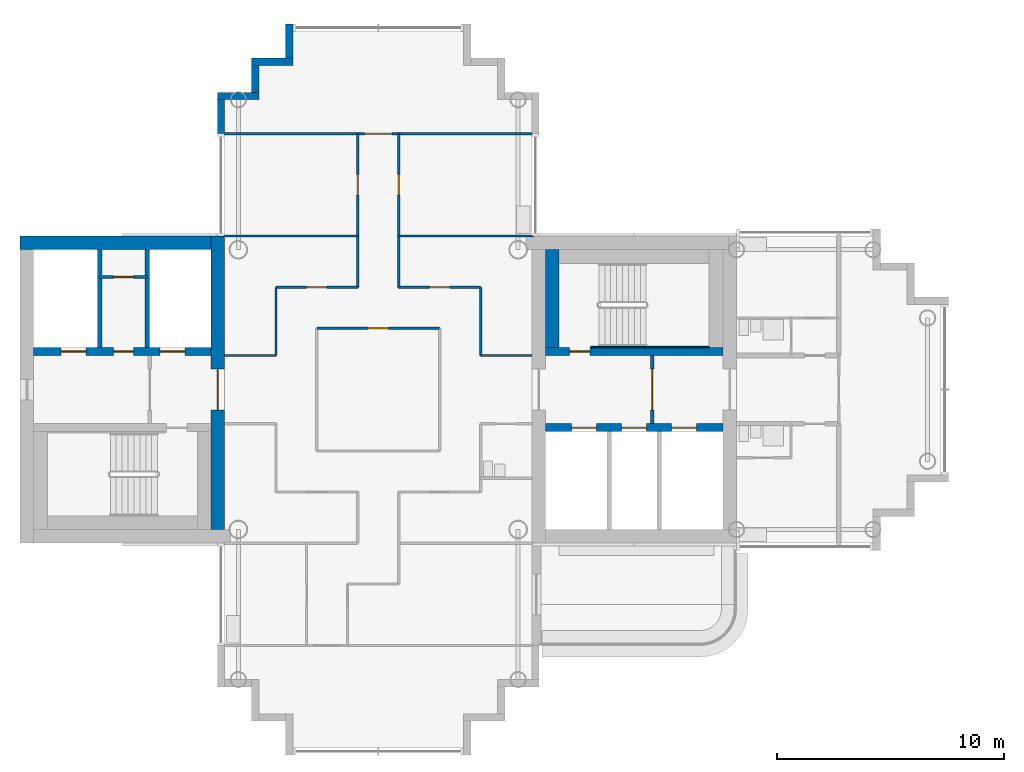
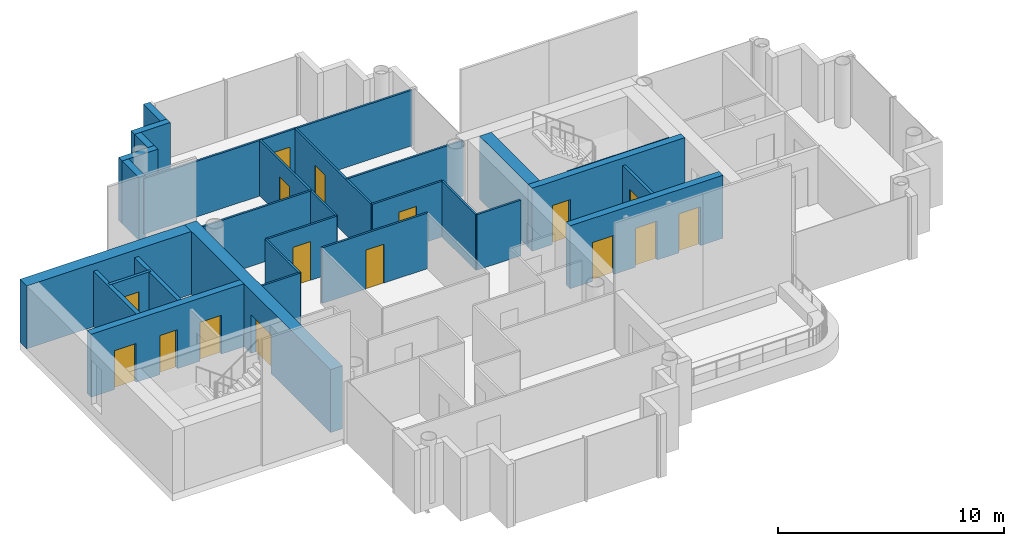
# One storey, part 7 of 18: 28 walls, 16 doors, 16 openings.
"""IFC4 building model written with IfcOpenShell, lengths in metres."""

from ifc_helpers import new_model, si_unit, direction, frame, frame_2d, origin, place, context, subcontext, project, spatial, rectangle, extrude, material, layer, layer_set, type_object, element, fill, save


model = new_model("IFC4")

# Units and contexts
model_context = context("Model", 3, precision=1e-05, world=origin(), true_north=direction((0.0, 1.0)))
body_context = subcontext(model_context, "Body", "Model", "MODEL_VIEW")
ifc_project = project(units=[si_unit("LENGTHUNIT", "METRE"), si_unit("AREAUNIT", "SQUARE_METRE"), si_unit("VOLUMEUNIT", "CUBIC_METRE"), si_unit("PLANEANGLEUNIT", "RADIAN"), si_unit("MASSUNIT", "GRAM", prefix="KILO")], contexts=[model_context])

# Site, building, storey
site_placement = place(None, origin())
site = spatial("IfcSite", under=ifc_project, at=site_placement, CompositionType="ELEMENT")
building_placement = place(site_placement, origin())
building = spatial("IfcBuilding", under=site, at=building_placement, Name="Ipe Terrace Towers", CompositionType="ELEMENT")
storey_placement = place(building_placement, frame((0.0, 0.0, 226.60009765625)))
storey = spatial("IfcBuildingStorey", under=building, at=storey_placement, Name="L63", CompositionType="ELEMENT", Elevation=226.60009765625)

# Walls
ifc_material_1 = material(Name="Concrete C40/50 with buff precast cladding", Category="concrete")
ifc_layer_1 = layer(ifc_material_1, 0.320068359375)
ifc_layer_set_1 = layer_set([ifc_layer_1], Name="BUFF CLADDING WALL 320")
wall_type_1 = type_object("IfcWallType", Name="BUFF CLADDING WALL 320", PredefinedType="STANDARD", material=ifc_layer_set_1)
wall_1_placement = place(storey_placement, frame((-39.909912109375, 16.070068359375, -0.300048828125), z_axis=(0.0, 0.0, 1.0), x_axis=(0.0, -1.0, 0.0)))
element("IfcWall", 1, at=wall_1_placement, inside=storey, type_object=wall_type_1, Name="T1-W-L63-35a wall", PredefinedType="STANDARD", context=body_context, shape_type="SweptSolid", body=[
    extrude(rectangle(XDim=1.5, YDim=0.320068359375, at=frame_2d((0.75, 0.0))), origin(), (0.0, 0.0, 1.0), 3.39990234375),
])
wall_2_placement = place(storey_placement, frame((-39.75, 14.409912109375, -0.300048828125), z_axis=(0.0, 0.0, 1.0), x_axis=(-1.0, 0.0, 0.0)))
element("IfcWall", 2, at=wall_2_placement, inside=storey, type_object=wall_type_1, Name="T1-W-L63-36a wall", PredefinedType="STANDARD", context=body_context, shape_type="SweptSolid", body=[
    extrude(rectangle(XDim=1.820068359375, YDim=0.320068359375, at=frame_2d((0.91015625, 0.0))), origin(), (0.0, 0.0, 1.0), 3.39990234375),
])
wall_3_placement = place(storey_placement, frame((-41.409912109375, 14.25, -0.300048828125), z_axis=(0.0, 0.0, 1.0), x_axis=(0.0, -1.0, 0.0)))
element("IfcWall", 3, at=wall_3_placement, inside=storey, type_object=wall_type_1, Name="T1-W-L63-37a wall", PredefinedType="STANDARD", context=body_context, shape_type="SweptSolid", body=[
    extrude(rectangle(XDim=1.179931640625, YDim=0.320068359375, at=frame_2d((0.58984375, 0.0))), origin(), (0.0, 0.0, 1.0), 3.39990234375),
])
wall_4_placement = place(storey_placement, frame((-41.25, 12.909912109375, -0.300048828125), z_axis=(0.0, 0.0, 1.0), x_axis=(-1.0, 0.0, 0.0)))
element("IfcWall", 4, at=wall_4_placement, inside=storey, type_object=wall_type_1, Name="T1-W-L63-38a wall", PredefinedType="STANDARD", context=body_context, shape_type="SweptSolid", body=[
    extrude(rectangle(XDim=1.820068359375, YDim=0.320068359375, at=frame_2d((0.91015625, 0.0))), origin(), (0.0, 0.0, 1.0), 3.39990234375),
])
wall_5_placement = place(storey_placement, frame((-42.909912109375, 12.75, -0.300048828125), z_axis=(0.0, 0.0, 1.0), x_axis=(0.0, -1.0, 0.0)))
element("IfcWall", 5, at=wall_5_placement, inside=storey, type_object=wall_type_1, Name="T1-W-L63-39a wall", PredefinedType="STANDARD", context=body_context, shape_type="SweptSolid", body=[
    extrude(rectangle(XDim=1.5, YDim=0.320068359375, at=frame_2d((0.75, 0.0))), origin(), (0.0, 0.0, 1.0), 3.39990234375),
])
ifc_material_2 = material(Name="Gypsum board partition", Category="plasterboard")
ifc_layer_2 = layer(ifc_material_2, 0.10009765625)
ifc_layer_set_2 = layer_set([ifc_layer_2], Name="Gypsum board partition 100 mm")
wall_type_2 = type_object("IfcWallType", Name="Gypsum board partition 100 mm", PredefinedType="PARTITIONING", material=ifc_layer_set_2)
wall_6_placement = place(storey_placement, frame((-40.5, 1.5, 0.0), z_axis=(0.0, 0.0, 1.0), x_axis=(0.0, 1.0, 0.0)))
element("IfcWall", 6, at=wall_6_placement, inside=storey, type_object=wall_type_2, Name="Gypsum board partition T1 L63 W02", PredefinedType="PARTITIONING", context=body_context, shape_type="SweptSolid", body=[
    extrude(rectangle(XDim=3.0, YDim=0.10009765625, at=frame_2d((1.5, 0.0))), origin(), (0.0, 0.0, 1.0), 3.0),
])

# Wall, opening, door
wall_7_placement = place(storey_placement, frame((-36.89990234375, 4.5, 0.0), z_axis=(0.0, 0.0, 1.0), x_axis=(0.0, 1.0, 0.0)))
wall_7 = element("IfcWall", 7, at=wall_7_placement, inside=storey, type_object=wall_type_2, Name="Gypsum board partition T1 L63 W07", PredefinedType="PARTITIONING", context=body_context, shape_type="SweptSolid", body=[
    extrude(rectangle(XDim=6.75, YDim=0.10009765625, at=frame_2d((3.375, 0.0))), origin(), (0.0, 0.0, 1.0), 3.0),
])
opening_1_placement = place(wall_7_placement, frame((4.050048828125, 0.0, 0.0)))
opening_1 = element("IfcOpeningElement", 8, at=opening_1_placement, cuts=wall_7, Name="Opening T1-Z4A-07", PredefinedType="OPENING", context=body_context, shape_type="SweptSolid", body=[
    extrude(rectangle(XDim=0.89990234375, YDim=2.10009765625, at=frame_2d((0.449951171875, 1.050048828125))), frame((0.0, 0.06005859375, 0.0), z_axis=(0.0, -1.0, 0.0), x_axis=(1.0, 0.0, 0.0)), (0.0, 0.0, 1.0), 0.1201171875),
])
ifc_material_3 = material(Name="Timber door leaf", Category="wood")
door_type_1 = type_object("IfcDoorType", Name="Lounge door 900 x 2100", OperationType="NOTDEFINED", PredefinedType="DOOR", material=ifc_material_3)
door_1_placement = place(opening_1_placement, origin())
door_1 = element("IfcDoor", 9, at=door_1_placement, inside=storey, type_object=door_type_1, Name="Lounge door T1-Z4A-07", OperationType="SINGLE_SWING_LEFT", OverallHeight=2.10009765625, OverallWidth=0.89990234375, PredefinedType="DOOR", context=body_context, shape_type="SweptSolid", body=[
    extrude(rectangle(XDim=0.89990234375, YDim=2.10009765625, at=frame_2d((0.449951171875, 1.050048828125))), frame((0.0, 0.02490234375, 0.0), z_axis=(0.0, -1.0, 0.0), x_axis=(1.0, 0.0, 0.0)), (0.0, 0.0, 1.0), 0.050048828125),
])
fill(opening_1, door_1)

wall_8_placement = place(storey_placement, frame((-35.10009765625, 4.5, 0.0), z_axis=(0.0, 0.0, 1.0), x_axis=(0.0, 1.0, 0.0)))
wall_8 = element("IfcWall", 10, at=wall_8_placement, inside=storey, type_object=wall_type_2, Name="Gypsum board partition T1 L63 W09", PredefinedType="PARTITIONING", context=body_context, shape_type="SweptSolid", body=[
    extrude(rectangle(XDim=6.75, YDim=0.10009765625, at=frame_2d((3.375, 0.0))), origin(), (0.0, 0.0, 1.0), 3.0),
])
opening_2_placement = place(wall_8_placement, frame((4.050048828125, 0.0, 0.0)))
opening_2 = element("IfcOpeningElement", 11, at=opening_2_placement, cuts=wall_8, Name="Opening T1-Z4A-08", PredefinedType="OPENING", context=body_context, shape_type="SweptSolid", body=[
    extrude(rectangle(XDim=0.89990234375, YDim=2.10009765625, at=frame_2d((0.449951171875, 1.050048828125))), frame((0.0, 0.06005859375, 0.0), z_axis=(0.0, -1.0, 0.0), x_axis=(1.0, 0.0, 0.0)), (0.0, 0.0, 1.0), 0.1201171875),
])
door_2_placement = place(opening_2_placement, origin())
door_2 = element("IfcDoor", 12, at=door_2_placement, inside=storey, type_object=door_type_1, Name="Lounge door T1-Z4A-08", OperationType="SINGLE_SWING_RIGHT", OverallHeight=2.10009765625, OverallWidth=0.89990234375, PredefinedType="DOOR", context=body_context, shape_type="SweptSolid", body=[
    extrude(rectangle(XDim=0.89990234375, YDim=2.10009765625, at=frame_2d((0.449951171875, 1.050048828125))), frame((0.0, 0.02490234375, 0.0), z_axis=(0.0, -1.0, 0.0), x_axis=(1.0, 0.0, 0.0)), (0.0, 0.0, 1.0), 0.050048828125),
])
fill(opening_2, door_2)

# Walls
wall_9_placement = place(storey_placement, frame((-31.5, 1.5, 0.0), z_axis=(0.0, 0.0, 1.0), x_axis=(0.0, 1.0, 0.0)))
element("IfcWall", 13, at=wall_9_placement, inside=storey, type_object=wall_type_2, Name="Gypsum board partition T1 L63 W12", PredefinedType="PARTITIONING", context=body_context, shape_type="SweptSolid", body=[
    extrude(rectangle(XDim=3.0, YDim=0.10009765625, at=frame_2d((1.5, 0.0))), origin(), (0.0, 0.0, 1.0), 3.0),
])
for number, where, z_axis, x_axis, name in (
    (14, (-42.75, 1.5, 0.0), (0.0, 0.0, 1.0), (1.0, 0.0, 0.0), "Gypsum board partition T1 L63 W30"),
    (15, (-31.5, 1.5, 0.0), (0.0, 0.0, 1.0), (1.0, 0.0, 0.0), "Gypsum board partition T1 L63 W31"),
):
    element("IfcWall", number, at=place(storey_placement, frame(where, z_axis=z_axis, x_axis=x_axis)), inside=storey, type_object=wall_type_2, Name=name, PredefinedType="PARTITIONING", context=body_context, shape_type="SweptSolid", body=[
        extrude(rectangle(XDim=2.25, YDim=0.10009765625, at=frame_2d((1.125, 0.0))), origin(), (0.0, 0.0, 1.0), 3.0),
    ])

# Wall, opening, door
wall_10_placement = place(storey_placement, frame((-38.699951171875, 2.699951171875, 0.0), z_axis=(0.0, 0.0, 1.0), x_axis=(1.0, 0.0, 0.0)))
wall_10 = element("IfcWall", 16, at=wall_10_placement, inside=storey, type_object=wall_type_2, Name="Gypsum board partition T1 L63 W33", PredefinedType="PARTITIONING", context=body_context, shape_type="SweptSolid", body=[
    extrude(rectangle(XDim=5.39990234375, YDim=0.10009765625, at=frame_2d((2.699951171875, 0.0))), origin(), (0.0, 0.0, 1.0), 3.0),
])
opening_3_placement = place(wall_10_placement, frame((2.25, 0.0, 0.0)))
opening_3 = element("IfcOpeningElement", 17, at=opening_3_placement, cuts=wall_10, Name="Opening T1-Z4A-01", PredefinedType="OPENING", context=body_context, shape_type="SweptSolid", body=[
    extrude(rectangle(XDim=0.89990234375, YDim=2.10009765625, at=frame_2d((0.449951171875, 1.050048828125))), frame((0.0, 0.06005859375, 0.0), z_axis=(0.0, -1.0, 0.0), x_axis=(1.0, 0.0, 0.0)), (0.0, 0.0, 1.0), 0.1201171875),
])
door_3_placement = place(opening_3_placement, origin())
door_3 = element("IfcDoor", 18, at=door_3_placement, inside=storey, type_object=door_type_1, Name="Lounge door T1-Z4A-01", OperationType="SINGLE_SWING_RIGHT", OverallHeight=2.10009765625, OverallWidth=0.89990234375, PredefinedType="DOOR", context=body_context, shape_type="SweptSolid", body=[
    extrude(rectangle(XDim=0.89990234375, YDim=2.10009765625, at=frame_2d((0.449951171875, 1.050048828125))), frame((0.0, 0.02490234375, 0.0), z_axis=(0.0, -1.0, 0.0), x_axis=(1.0, 0.0, 0.0)), (0.0, 0.0, 1.0), 0.050048828125),
])
fill(opening_3, door_3)

wall_11_placement = place(storey_placement, frame((-40.5, 4.5, 0.0), z_axis=(0.0, 0.0, 1.0), x_axis=(1.0, 0.0, 0.0)))
wall_11 = element("IfcWall", 19, at=wall_11_placement, inside=storey, type_object=wall_type_2, Name="Gypsum board partition T1 L63 W35", PredefinedType="PARTITIONING", context=body_context, shape_type="SweptSolid", body=[
    extrude(rectangle(XDim=3.60009765625, YDim=0.10009765625, at=frame_2d((1.800048828125, 0.0))), origin(), (0.0, 0.0, 1.0), 3.0),
])
opening_4_placement = place(wall_11_placement, frame((1.35009765625, 0.0, 0.0)))
opening_4 = element("IfcOpeningElement", 20, at=opening_4_placement, cuts=wall_11, Name="Opening T1-Z4A-04", PredefinedType="OPENING", context=body_context, shape_type="SweptSolid", body=[
    extrude(rectangle(XDim=0.89990234375, YDim=2.10009765625, at=frame_2d((0.449951171875, 1.050048828125))), frame((0.0, 0.06005859375, 0.0), z_axis=(0.0, -1.0, 0.0), x_axis=(1.0, 0.0, 0.0)), (0.0, 0.0, 1.0), 0.1201171875),
])
door_4_placement = place(opening_4_placement, origin())
door_4 = element("IfcDoor", 21, at=door_4_placement, inside=storey, type_object=door_type_1, Name="Lounge door T1-Z4A-04", OperationType="SINGLE_SWING_LEFT", OverallHeight=2.10009765625, OverallWidth=0.89990234375, PredefinedType="DOOR", context=body_context, shape_type="SweptSolid", body=[
    extrude(rectangle(XDim=0.89990234375, YDim=2.10009765625, at=frame_2d((0.449951171875, 1.050048828125))), frame((0.0, 0.02490234375, 0.0), z_axis=(0.0, -1.0, 0.0), x_axis=(1.0, 0.0, 0.0)), (0.0, 0.0, 1.0), 0.050048828125),
])
fill(opening_4, door_4)

wall_12_placement = place(storey_placement, frame((-35.10009765625, 4.5, 0.0), z_axis=(0.0, 0.0, 1.0), x_axis=(1.0, 0.0, 0.0)))
wall_12 = element("IfcWall", 22, at=wall_12_placement, inside=storey, type_object=wall_type_2, Name="Gypsum board partition T1 L63 W36", PredefinedType="PARTITIONING", context=body_context, shape_type="SweptSolid", body=[
    extrude(rectangle(XDim=3.60009765625, YDim=0.10009765625, at=frame_2d((1.800048828125, 0.0))), origin(), (0.0, 0.0, 1.0), 3.0),
])
opening_5_placement = place(wall_12_placement, frame((1.35009765625, 0.0, 0.0)))
opening_5 = element("IfcOpeningElement", 23, at=opening_5_placement, cuts=wall_12, Name="Opening T1-Z4A-03", PredefinedType="OPENING", context=body_context, shape_type="SweptSolid", body=[
    extrude(rectangle(XDim=0.89990234375, YDim=2.10009765625, at=frame_2d((0.449951171875, 1.050048828125))), frame((0.0, 0.06005859375, 0.0), z_axis=(0.0, -1.0, 0.0), x_axis=(1.0, 0.0, 0.0)), (0.0, 0.0, 1.0), 0.1201171875),
])
door_5_placement = place(opening_5_placement, origin())
door_5 = element("IfcDoor", 24, at=door_5_placement, inside=storey, type_object=door_type_1, Name="Lounge door T1-Z4A-03", OperationType="SINGLE_SWING_RIGHT", OverallHeight=2.10009765625, OverallWidth=0.89990234375, PredefinedType="DOOR", context=body_context, shape_type="SweptSolid", body=[
    extrude(rectangle(XDim=0.89990234375, YDim=2.10009765625, at=frame_2d((0.449951171875, 1.050048828125))), frame((0.0, 0.02490234375, 0.0), z_axis=(0.0, -1.0, 0.0), x_axis=(1.0, 0.0, 0.0)), (0.0, 0.0, 1.0), 0.050048828125),
])
fill(opening_5, door_5)

# Walls
for number, where, z_axis, x_axis, name in (
    (25, (-42.85009765625, 6.75, 0.0), (0.0, 0.0, 1.0), (1.0, 0.0, 0.0), "Gypsum board partition T1 L63 W37"),
    (26, (-35.10009765625, 6.75, 0.0), (0.0, 0.0, 1.0), (1.0, 0.0, 0.0), "Gypsum board partition T1 L63 W38"),
):
    element("IfcWall", number, at=place(storey_placement, frame(where, z_axis=z_axis, x_axis=x_axis)), inside=storey, type_object=wall_type_2, Name=name, PredefinedType="PARTITIONING", context=body_context, shape_type="SweptSolid", body=[
        extrude(rectangle(XDim=5.9501953125, YDim=0.10009765625, at=frame_2d((2.97509765625, 0.0))), origin(), (0.0, 0.0, 1.0), 3.0),
    ])

# Wall, opening, door
wall_13_placement = place(storey_placement, frame((-42.85009765625, 11.25, 0.0), z_axis=(0.0, 0.0, 1.0), x_axis=(1.0, 0.0, 0.0)))
wall_13 = element("IfcWall", 27, at=wall_13_placement, inside=storey, type_object=wall_type_2, Name="Gypsum board partition T1 L63 W39", PredefinedType="PARTITIONING", context=body_context, shape_type="SweptSolid", body=[
    extrude(rectangle(XDim=13.7001953125, YDim=0.10009765625, at=frame_2d((6.85009765625, 0.0))), origin(), (0.0, 0.0, 1.0), 3.0),
])
opening_6_placement = place(wall_13_placement, frame((6.25, 0.0, 0.0)))
opening_6 = element("IfcOpeningElement", 28, at=opening_6_placement, cuts=wall_13, Name="Opening T1-Z4A-09", PredefinedType="OPENING", context=body_context, shape_type="SweptSolid", body=[
    extrude(rectangle(XDim=1.199951171875, YDim=2.10009765625, at=frame_2d((0.60009765625, 1.050048828125))), frame((0.0, 0.06005859375, 0.0), z_axis=(0.0, -1.0, 0.0), x_axis=(1.0, 0.0, 0.0)), (0.0, 0.0, 1.0), 0.1201171875),
])
ifc_material_4 = material(Name="Timber door leaf", Category="wood")
door_type_2 = type_object("IfcDoorType", Name="Lounge door 1200 x 2100", OperationType="NOTDEFINED", PredefinedType="DOOR", material=ifc_material_4)
door_6_placement = place(opening_6_placement, origin())
door_6 = element("IfcDoor", 29, at=door_6_placement, inside=storey, type_object=door_type_2, Name="Lounge door T1-Z4A-09", OperationType="SINGLE_SWING_LEFT", OverallHeight=2.10009765625, OverallWidth=1.199951171875, PredefinedType="DOOR", context=body_context, shape_type="SweptSolid", body=[
    extrude(rectangle(XDim=1.199951171875, YDim=2.10009765625, at=frame_2d((0.60009765625, 1.050048828125))), frame((0.0, 0.02490234375, 0.0), z_axis=(0.0, -1.0, 0.0), x_axis=(1.0, 0.0, 0.0)), (0.0, 0.0, 1.0), 0.050048828125),
])
fill(opening_6, door_6)

ifc_material_5 = material(Name="Gypsum board partition", Category="plasterboard")
ifc_layer_3 = layer(ifc_material_5, 0.14990234375)
ifc_layer_set_3 = layer_set([ifc_layer_3], Name="Gypsum board partition 150 mm")
wall_type_3 = type_object("IfcWallType", Name="Gypsum board partition 150 mm", PredefinedType="PARTITIONING", material=ifc_layer_set_3)
wall_14_placement = place(storey_placement, frame((-23.949951171875, -1.5, 0.0), z_axis=(0.0, 0.0, 1.0), x_axis=(0.0, 1.0, 0.0)))
wall_14 = element("IfcWall", 30, at=wall_14_placement, inside=storey, type_object=wall_type_3, Name="Gypsum board partition T1 L63 t1c1-lobby-wall", PredefinedType="PARTITIONING", context=body_context, shape_type="SweptSolid", body=[
    extrude(rectangle(XDim=3.0, YDim=0.14990234375, at=frame_2d((1.5, 0.0))), origin(), (0.0, 0.0, 1.0), 3.0),
])
opening_7_placement = place(wall_14_placement, frame((0.60009765625, 0.0, 0.0)))
opening_7 = element("IfcOpeningElement", 31, at=opening_7_placement, cuts=wall_14, Name="Opening T1C1-VD", PredefinedType="OPENING", context=body_context, shape_type="SweptSolid", body=[
    extrude(rectangle(XDim=1.800048828125, YDim=2.10009765625, at=frame_2d((0.89990234375, 1.050048828125))), frame((0.0, 0.0849609375, 0.0), z_axis=(0.0, -1.0, 0.0), x_axis=(1.0, 0.0, 0.0)), (0.0, 0.0, 1.0), 0.169921875),
])
ifc_material_6 = material(Name="Fire-rated timber door leaf", Category="wood")
door_type_3 = type_object("IfcDoorType", Name="Lobby door 1800 x 2100 FD60", OperationType="NOTDEFINED", PredefinedType="DOOR", material=ifc_material_6)
door_7_placement = place(opening_7_placement, origin())
door_7 = element("IfcDoor", 32, at=door_7_placement, inside=storey, type_object=door_type_3, Name="Lobby door T1C1-VD", OperationType="SINGLE_SWING_LEFT", OverallHeight=2.10009765625, OverallWidth=1.800048828125, PredefinedType="DOOR", context=body_context, shape_type="SweptSolid", body=[
    extrude(rectangle(XDim=1.800048828125, YDim=2.10009765625, at=frame_2d((0.89990234375, 1.050048828125))), frame((0.0, 0.02490234375, 0.0), z_axis=(0.0, -1.0, 0.0), x_axis=(1.0, 0.0, 0.0)), (0.0, 0.0, 1.0), 0.050048828125),
])
fill(opening_7, door_7)

wall_15_placement = place(storey_placement, frame((-46.14990234375, 4.949951171875, 0.0), z_axis=(0.0, 0.0, 1.0), x_axis=(-1.0, 0.0, 0.0)))
wall_15 = element("IfcWall", 33, at=wall_15_placement, inside=storey, type_object=wall_type_3, Name="Gypsum board partition T1 L63 t1c2-q-back", PredefinedType="PARTITIONING", context=body_context, shape_type="SweptSolid", body=[
    extrude(rectangle(XDim=2.10009765625, YDim=0.14990234375, at=frame_2d((1.050048828125, 0.0))), origin(), (0.0, 0.0, 1.0), 3.0),
])
opening_8_placement = place(wall_15_placement, frame((0.60009765625, 0.0, 0.0)))
opening_8 = element("IfcOpeningElement", 34, at=opening_8_placement, cuts=wall_15, Name="Opening T1C2-RB", PredefinedType="OPENING", context=body_context, shape_type="SweptSolid", body=[
    extrude(rectangle(XDim=0.89990234375, YDim=2.10009765625, at=frame_2d((0.449951171875, 1.050048828125))), frame((0.0, 0.0849609375, 0.0), z_axis=(0.0, -1.0, 0.0), x_axis=(1.0, 0.0, 0.0)), (0.0, 0.0, 1.0), 0.169921875),
])
ifc_material_7 = material(Name="Fire-rated timber door leaf", Category="wood")
door_type_4 = type_object("IfcDoorType", Name="Service door 900 x 2100 FD60", OperationType="NOTDEFINED", PredefinedType="DOOR", material=ifc_material_7)
door_8_placement = place(opening_8_placement, origin())
door_8 = element("IfcDoor", 35, at=door_8_placement, inside=storey, type_object=door_type_4, Name="Service door T1C2-RB", OperationType="SINGLE_SWING_LEFT", OverallHeight=2.10009765625, OverallWidth=0.89990234375, PredefinedType="DOOR", context=body_context, shape_type="SweptSolid", body=[
    extrude(rectangle(XDim=0.89990234375, YDim=2.10009765625, at=frame_2d((0.449951171875, 1.050048828125))), frame((0.0, 0.02490234375, 0.0), z_axis=(0.0, -1.0, 0.0), x_axis=(1.0, 0.0, 0.0)), (0.0, 0.0, 1.0), 0.050048828125),
])
fill(opening_8, door_8)

# Walls
ifc_material_8 = material(Name="Gypsum board party wall", Category="plasterboard")
ifc_layer_4 = layer(ifc_material_8, 0.199951171875)
ifc_layer_set_4 = layer_set([ifc_layer_4], Name="Gypsum board party wall 200 mm")
wall_type_4 = type_object("IfcWallType", Name="Gypsum board party wall 200 mm", PredefinedType="SOLIDWALL", material=ifc_layer_set_4)
for number, where, z_axis, x_axis, name in (
    (36, (-48.25, 6.14990234375, 0.0), (0.0, 0.0, 1.0), (0.0, -1.0, 0.0), "Gypsum board party wall T1 L63 t1c2-shaft-div2"),
    (37, (-46.14990234375, 6.14990234375, 0.0), (0.0, 0.0, 1.0), (0.0, -1.0, 0.0), "Gypsum board party wall T1 L63 t1c2-shaft-div1"),
):
    element("IfcWall", number, at=place(storey_placement, frame(where, z_axis=z_axis, x_axis=x_axis)), inside=storey, type_object=wall_type_4, Name=name, PredefinedType="SOLIDWALL", context=body_context, shape_type="SweptSolid", body=[
        extrude(rectangle(XDim=4.2998046875, YDim=0.199951171875, at=frame_2d((2.14990234375, 0.0))), origin(), (0.0, 0.0, 1.0), 3.0),
    ])

# Wall, openings, doors
ifc_material_9 = material(Name="Concrete C40/50", Category="concrete")
ifc_layer_5 = layer(ifc_material_9, 0.35009765625)
ifc_layer_set_5 = layer_set([ifc_layer_5], Name="RW350 CORE SPINE WALL 350 C40-50")
wall_type_5 = type_object("IfcWallType", Name="RW350 CORE SPINE WALL 350 C40-50", PredefinedType="SHEAR", material=ifc_layer_set_5)
wall_16_placement = place(storey_placement, frame((-28.64990234375, -1.675048828125, 0.0), z_axis=(0.0, 0.0, 1.0), x_axis=(1.0, 0.0, 0.0)))
wall_16 = element("IfcWall", 38, at=wall_16_placement, inside=storey, type_object=wall_type_5, Name="Core spine wall T1-C1-Z4-SW1", PredefinedType="SHEAR", context=body_context, shape_type="SweptSolid", body=[
    extrude(rectangle(XDim=7.7998046875, YDim=0.35009765625, at=frame_2d((3.89990234375, 0.0))), origin(), (0.0, 0.0, 1.0), 3.39990234375),
])
opening_9_placement = place(wall_16_placement, frame((1.14990234375, 0.0, 0.0)))
opening_9 = element("IfcOpeningElement", 39, at=opening_9_placement, cuts=wall_16, Name="Opening T1C1-LD1", PredefinedType="OPENING", context=body_context, shape_type="SweptSolid", body=[
    extrude(rectangle(XDim=1.10009765625, YDim=2.10009765625, at=frame_2d((0.550048828125, 1.050048828125))), frame((0.0, 0.18505859375, 0.0), z_axis=(0.0, -1.0, 0.0), x_axis=(1.0, 0.0, 0.0)), (0.0, 0.0, 1.0), 0.3701171875),
])
opening_10_placement = place(wall_16_placement, frame((3.35009765625, 0.0, 0.0)))
opening_10 = element("IfcOpeningElement", 40, at=opening_10_placement, cuts=wall_16, Name="Opening T1C1-LD2", PredefinedType="OPENING", context=body_context, shape_type="SweptSolid", body=[
    extrude(rectangle(XDim=1.10009765625, YDim=2.10009765625, at=frame_2d((0.550048828125, 1.050048828125))), frame((0.0, 0.18505859375, 0.0), z_axis=(0.0, -1.0, 0.0), x_axis=(1.0, 0.0, 0.0)), (0.0, 0.0, 1.0), 0.3701171875),
])
opening_11_placement = place(wall_16_placement, frame((5.550048828125, 0.0, 0.0)))
opening_11 = element("IfcOpeningElement", 41, at=opening_11_placement, cuts=wall_16, Name="Opening T1C1-LD3", PredefinedType="OPENING", context=body_context, shape_type="SweptSolid", body=[
    extrude(rectangle(XDim=1.10009765625, YDim=2.10009765625, at=frame_2d((0.550048828125, 1.050048828125))), frame((0.0, 0.18505859375, 0.0), z_axis=(0.0, -1.0, 0.0), x_axis=(1.0, 0.0, 0.0)), (0.0, 0.0, 1.0), 0.3701171875),
])
ifc_material_10 = material(Name="Fire-rated timber door leaf", Category="wood")
door_type_5 = type_object("IfcDoorType", Name="Sliding door 1100 x 2100 FD60", OperationType="SLIDING_TO_LEFT", PredefinedType="DOOR", material=ifc_material_10)
door_9_placement = place(opening_9_placement, origin())
door_9 = element("IfcDoor", 42, at=door_9_placement, inside=storey, type_object=door_type_5, Name="Sliding door T1C1-LD1", OperationType="SLIDING_TO_LEFT", OverallHeight=2.10009765625, OverallWidth=1.10009765625, PredefinedType="DOOR", context=body_context, shape_type="SweptSolid", body=[
    extrude(rectangle(XDim=1.10009765625, YDim=2.10009765625, at=frame_2d((0.550048828125, 1.050048828125))), frame((0.0, 0.02490234375, 0.0), z_axis=(0.0, -1.0, 0.0), x_axis=(1.0, 0.0, 0.0)), (0.0, 0.0, 1.0), 0.050048828125),
])
fill(opening_9, door_9)
door_10_placement = place(opening_10_placement, origin())
door_10 = element("IfcDoor", 43, at=door_10_placement, inside=storey, type_object=door_type_5, Name="Sliding door T1C1-LD2", OperationType="SLIDING_TO_LEFT", OverallHeight=2.10009765625, OverallWidth=1.10009765625, PredefinedType="DOOR", context=body_context, shape_type="SweptSolid", body=[
    extrude(rectangle(XDim=1.10009765625, YDim=2.10009765625, at=frame_2d((0.550048828125, 1.050048828125))), frame((0.0, 0.02490234375, 0.0), z_axis=(0.0, -1.0, 0.0), x_axis=(1.0, 0.0, 0.0)), (0.0, 0.0, 1.0), 0.050048828125),
])
fill(opening_10, door_10)
door_11_placement = place(opening_11_placement, origin())
door_11 = element("IfcDoor", 44, at=door_11_placement, inside=storey, type_object=door_type_5, Name="Sliding door T1C1-LD3", OperationType="SLIDING_TO_LEFT", OverallHeight=2.10009765625, OverallWidth=1.10009765625, PredefinedType="DOOR", context=body_context, shape_type="SweptSolid", body=[
    extrude(rectangle(XDim=1.10009765625, YDim=2.10009765625, at=frame_2d((0.550048828125, 1.050048828125))), frame((0.0, 0.02490234375, 0.0), z_axis=(0.0, -1.0, 0.0), x_axis=(1.0, 0.0, 0.0)), (0.0, 0.0, 1.0), 0.050048828125),
])
fill(opening_11, door_11)

# Wall, opening, door
wall_17_placement = place(storey_placement, frame((-28.64990234375, 1.675048828125, 0.0), z_axis=(0.0, 0.0, 1.0), x_axis=(1.0, 0.0, 0.0)))
wall_17 = element("IfcWall", 45, at=wall_17_placement, inside=storey, type_object=wall_type_5, Name="Core spine wall T1-C1-Z4-SW2", PredefinedType="SHEAR", context=body_context, shape_type="SweptSolid", body=[
    extrude(rectangle(XDim=7.7998046875, YDim=0.35009765625, at=frame_2d((3.89990234375, 0.0))), origin(), (0.0, 0.0, 1.0), 3.39990234375),
])
opening_12_placement = place(wall_17_placement, frame((1.050048828125, 0.0, 0.0)))
opening_12 = element("IfcOpeningElement", 46, at=opening_12_placement, cuts=wall_17, Name="Opening T1C1-SD", PredefinedType="OPENING", context=body_context, shape_type="SweptSolid", body=[
    extrude(rectangle(XDim=0.89990234375, YDim=2.10009765625, at=frame_2d((0.449951171875, 1.050048828125))), frame((0.0, 0.18505859375, 0.0), z_axis=(0.0, -1.0, 0.0), x_axis=(1.0, 0.0, 0.0)), (0.0, 0.0, 1.0), 0.3701171875),
])
ifc_material_11 = material(Name="Fire-rated timber door leaf", Category="wood")
door_type_6 = type_object("IfcDoorType", Name="Stair door 900 x 2100 FD60", OperationType="NOTDEFINED", PredefinedType="DOOR", material=ifc_material_11)
door_12_placement = place(opening_12_placement, origin())
door_12 = element("IfcDoor", 47, at=door_12_placement, inside=storey, type_object=door_type_6, Name="Stair door T1C1-SD", OperationType="SINGLE_SWING_LEFT", OverallHeight=2.10009765625, OverallWidth=0.89990234375, PredefinedType="DOOR", context=body_context, shape_type="SweptSolid", body=[
    extrude(rectangle(XDim=0.89990234375, YDim=2.10009765625, at=frame_2d((0.449951171875, 1.050048828125))), frame((0.0, 0.02490234375, 0.0), z_axis=(0.0, -1.0, 0.0), x_axis=(1.0, 0.0, 0.0)), (0.0, 0.0, 1.0), 0.050048828125),
])
fill(opening_12, door_12)

# Wall, openings, doors
wall_18_placement = place(storey_placement, frame((-51.14990234375, 1.675048828125, 0.0), z_axis=(0.0, 0.0, 1.0), x_axis=(1.0, 0.0, 0.0)))
wall_18 = element("IfcWall", 48, at=wall_18_placement, inside=storey, type_object=wall_type_5, Name="Core spine wall T1-C2-Z4-SW2", PredefinedType="SHEAR", context=body_context, shape_type="SweptSolid", body=[
    extrude(rectangle(XDim=7.7998046875, YDim=0.35009765625, at=frame_2d((3.89990234375, 0.0))), origin(), (0.0, 0.0, 1.0), 3.39990234375),
])
opening_13_placement = place(wall_18_placement, frame((5.550048828125, 0.0, 0.0)))
opening_13 = element("IfcOpeningElement", 49, at=opening_13_placement, cuts=wall_18, Name="Opening T1C2-LD1", PredefinedType="OPENING", context=body_context, shape_type="SweptSolid", body=[
    extrude(rectangle(XDim=1.10009765625, YDim=2.10009765625, at=frame_2d((0.550048828125, 1.050048828125))), frame((0.0, 0.18505859375, 0.0), z_axis=(0.0, -1.0, 0.0), x_axis=(1.0, 0.0, 0.0)), (0.0, 0.0, 1.0), 0.3701171875),
])
opening_14_placement = place(wall_18_placement, frame((1.199951171875, 0.0, 0.0)))
opening_14 = element("IfcOpeningElement", 50, at=opening_14_placement, cuts=wall_18, Name="Opening T1C2-LD3", PredefinedType="OPENING", context=body_context, shape_type="SweptSolid", body=[
    extrude(rectangle(XDim=1.10009765625, YDim=2.10009765625, at=frame_2d((0.550048828125, 1.050048828125))), frame((0.0, 0.18505859375, 0.0), z_axis=(0.0, -1.0, 0.0), x_axis=(1.0, 0.0, 0.0)), (0.0, 0.0, 1.0), 0.3701171875),
])
opening_15_placement = place(wall_18_placement, frame((3.5, 0.0, 0.0)))
opening_15 = element("IfcOpeningElement", 51, at=opening_15_placement, cuts=wall_18, Name="Opening T1C2-R1-NR", PredefinedType="OPENING", context=body_context, shape_type="SweptSolid", body=[
    extrude(rectangle(XDim=0.89990234375, YDim=2.10009765625, at=frame_2d((0.449951171875, 1.050048828125))), frame((0.0, 0.18505859375, 0.0), z_axis=(0.0, -1.0, 0.0), x_axis=(1.0, 0.0, 0.0)), (0.0, 0.0, 1.0), 0.3701171875),
])
door_13_placement = place(opening_13_placement, origin())
door_13 = element("IfcDoor", 52, at=door_13_placement, inside=storey, type_object=door_type_5, Name="Sliding door T1C2-LD1", OperationType="SLIDING_TO_LEFT", OverallHeight=2.10009765625, OverallWidth=1.10009765625, PredefinedType="DOOR", context=body_context, shape_type="SweptSolid", body=[
    extrude(rectangle(XDim=1.10009765625, YDim=2.10009765625, at=frame_2d((0.550048828125, 1.050048828125))), frame((0.0, 0.02490234375, 0.0), z_axis=(0.0, -1.0, 0.0), x_axis=(1.0, 0.0, 0.0)), (0.0, 0.0, 1.0), 0.050048828125),
])
fill(opening_13, door_13)
door_14_placement = place(opening_14_placement, origin())
door_14 = element("IfcDoor", 53, at=door_14_placement, inside=storey, type_object=door_type_5, Name="Sliding door T1C2-LD3", OperationType="SLIDING_TO_LEFT", OverallHeight=2.10009765625, OverallWidth=1.10009765625, PredefinedType="DOOR", context=body_context, shape_type="SweptSolid", body=[
    extrude(rectangle(XDim=1.10009765625, YDim=2.10009765625, at=frame_2d((0.550048828125, 1.050048828125))), frame((0.0, 0.02490234375, 0.0), z_axis=(0.0, -1.0, 0.0), x_axis=(1.0, 0.0, 0.0)), (0.0, 0.0, 1.0), 0.050048828125),
])
fill(opening_14, door_14)
ifc_material_12 = material(Name="Timber door leaf", Category="wood")
door_type_7 = type_object("IfcDoorType", Name="Store door 900 x 2100", OperationType="NOTDEFINED", PredefinedType="DOOR", material=ifc_material_12)
door_15_placement = place(opening_15_placement, origin())
door_15 = element("IfcDoor", 54, at=door_15_placement, inside=storey, type_object=door_type_7, Name="Store door T1C2-R1-NR", OperationType="SINGLE_SWING_LEFT", OverallHeight=2.10009765625, OverallWidth=0.89990234375, PredefinedType="DOOR", context=body_context, shape_type="SweptSolid", body=[
    extrude(rectangle(XDim=0.89990234375, YDim=2.10009765625, at=frame_2d((0.449951171875, 1.050048828125))), frame((0.0, 0.02490234375, 0.0), z_axis=(0.0, -1.0, 0.0), x_axis=(1.0, 0.0, 0.0)), (0.0, 0.0, 1.0), 0.050048828125),
])
fill(opening_15, door_15)

# Walls
ifc_material_13 = material(Name="Concrete C40/50", Category="concrete")
ifc_layer_6 = layer(ifc_material_13, 0.050048828125)
ifc_layer_set_6 = layer_set([ifc_layer_6], Name="RW50 CORE INFILL WALL 50 C40-50")
wall_type_6 = type_object("IfcWallType", Name="RW50 CORE INFILL WALL 50 C40-50", PredefinedType="SHEAR", material=ifc_layer_set_6)
wall_19_placement = place(storey_placement, frame((-26.64990234375, 1.875, 0.0), z_axis=(0.0, 0.0, 1.0), x_axis=(1.0, 0.0, 0.0)))
element("IfcWall", 55, at=wall_19_placement, inside=storey, type_object=wall_type_6, Name="Core infill wall T1-C1-spine-b", PredefinedType="SHEAR", context=body_context, shape_type="SweptSolid", body=[
    extrude(rectangle(XDim=5.199951171875, YDim=0.050048828125, at=frame_2d((2.60009765625, 0.0))), origin(), (0.0, 0.0, 1.0), 3.39990234375),
])
ifc_material_14 = material(Name="Concrete C40/50", Category="concrete")
ifc_layer_7 = layer(ifc_material_14, 0.60009765625)
ifc_layer_set_7 = layer_set([ifc_layer_7], Name="RW600 CORE INFILL WALL 600 C40-50")
wall_type_7 = type_object("IfcWallType", Name="RW600 CORE INFILL WALL 600 C40-50", PredefinedType="SHEAR", material=ifc_layer_set_7)
wall_20_placement = place(storey_placement, frame((-28.35009765625, 1.85009765625, 0.0), z_axis=(0.0, 0.0, 1.0), x_axis=(0.0, 1.0, 0.0)))
element("IfcWall", 56, at=wall_20_placement, inside=storey, type_object=wall_type_7, Name="Core infill wall T1-C1-near", PredefinedType="SHEAR", context=body_context, shape_type="SweptSolid", body=[
    extrude(rectangle(XDim=4.2998046875, YDim=0.60009765625, at=frame_2d((2.14990234375, 0.0))), origin(), (0.0, 0.0, 1.0), 3.39990234375),
])

# Wall, opening, door
ifc_material_15 = material(Name="Concrete C40/50", Category="concrete")
ifc_layer_8 = layer(ifc_material_15, 0.60009765625)
ifc_layer_set_8 = layer_set([ifc_layer_8], Name="RW600 CORE WALL 600 C40-50")
wall_type_8 = type_object("IfcWallType", Name="RW600 CORE WALL 600 C40-50", PredefinedType="SHEAR", material=ifc_layer_set_8)
wall_21_placement = place(storey_placement, frame((-43.050048828125, -6.14990234375, 0.0), z_axis=(0.0, 0.0, 1.0), x_axis=(0.0, 1.0, 0.0)))
wall_21 = element("IfcWall", 57, at=wall_21_placement, inside=storey, type_object=wall_type_8, Name="Core wall T1-C2-Z4-W02", PredefinedType="SHEAR", context=body_context, shape_type="SweptSolid", body=[
    extrude(rectangle(XDim=12.89990234375, YDim=0.60009765625, at=frame_2d((6.449951171875, 0.0))), origin(), (0.0, 0.0, 1.0), 3.39990234375),
])
opening_16_placement = place(wall_21_placement, frame((5.25, 0.0, 0.0)))
opening_16 = element("IfcOpeningElement", 58, at=opening_16_placement, cuts=wall_21, Name="Opening T1C2-ND", PredefinedType="OPENING", context=body_context, shape_type="SweptSolid", body=[
    extrude(rectangle(XDim=1.800048828125, YDim=2.10009765625, at=frame_2d((0.89990234375, 1.050048828125))), frame((0.0, 0.31005859375, 0.0), z_axis=(0.0, -1.0, 0.0), x_axis=(1.0, 0.0, 0.0)), (0.0, 0.0, 1.0), 0.6201171875),
])
ifc_material_16 = material(Name="Fire-rated timber door leaf", Category="wood")
door_type_8 = type_object("IfcDoorType", Name="Fire door 1800 x 2100 FD30S", OperationType="NOTDEFINED", PredefinedType="DOOR", material=ifc_material_16)
door_16_placement = place(opening_16_placement, origin())
door_16 = element("IfcDoor", 59, at=door_16_placement, inside=storey, type_object=door_type_8, Name="Fire door T1C2-ND", OperationType="SINGLE_SWING_LEFT", OverallHeight=2.10009765625, OverallWidth=1.800048828125, PredefinedType="DOOR", context=body_context, shape_type="SweptSolid", body=[
    extrude(rectangle(XDim=1.800048828125, YDim=2.10009765625, at=frame_2d((0.89990234375, 1.050048828125))), frame((0.0, 0.02490234375, 0.0), z_axis=(0.0, -1.0, 0.0), x_axis=(1.0, 0.0, 0.0)), (0.0, 0.0, 1.0), 0.050048828125),
])
fill(opening_16, door_16)

# Wall
wall_22_placement = place(storey_placement, frame((-43.35009765625, 6.449951171875, 0.0), z_axis=(0.0, 0.0, 1.0), x_axis=(-1.0, 0.0, 0.0)))
element("IfcWall", 60, at=wall_22_placement, inside=storey, type_object=wall_type_8, Name="Core wall T1-C2-Z4-W03", PredefinedType="SHEAR", context=body_context, shape_type="SweptSolid", body=[
    extrude(rectangle(XDim=8.39990234375, YDim=0.60009765625, at=frame_2d((4.199951171875, 0.0))), origin(), (0.0, 0.0, 1.0), 3.39990234375),
])

save(model, "model.ifc")
